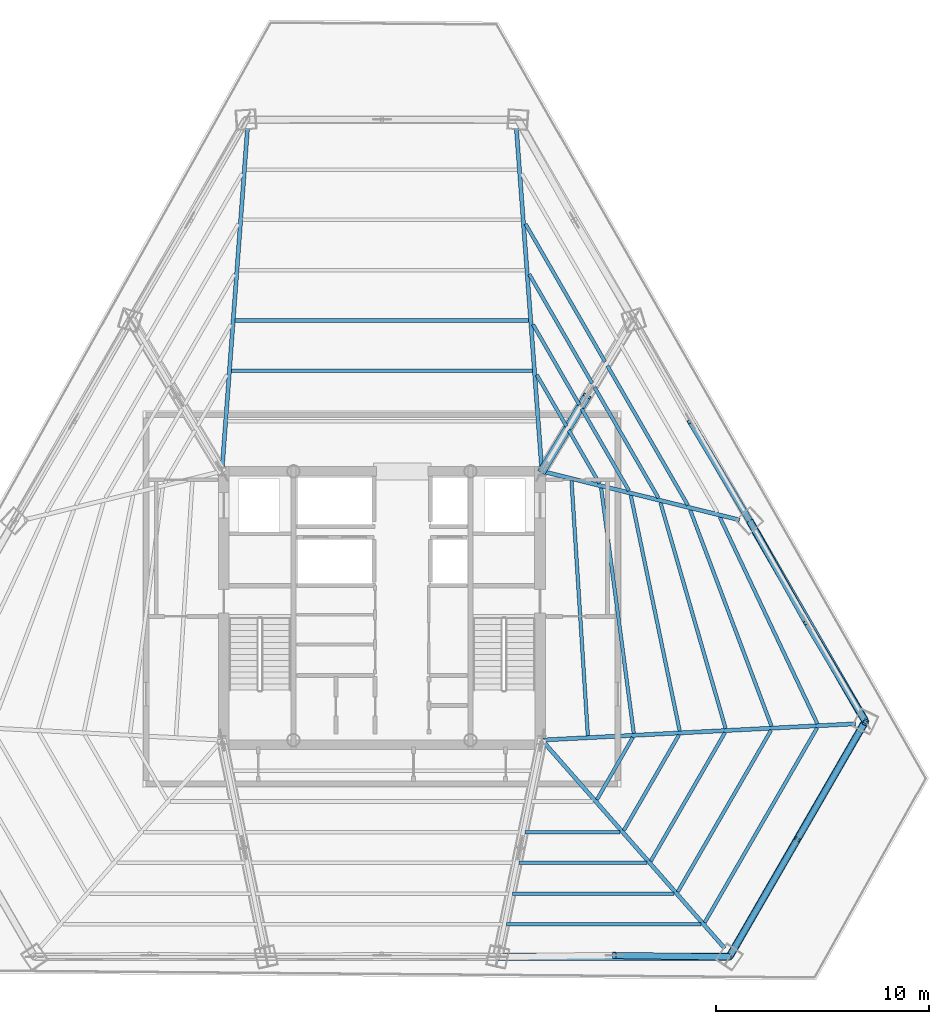
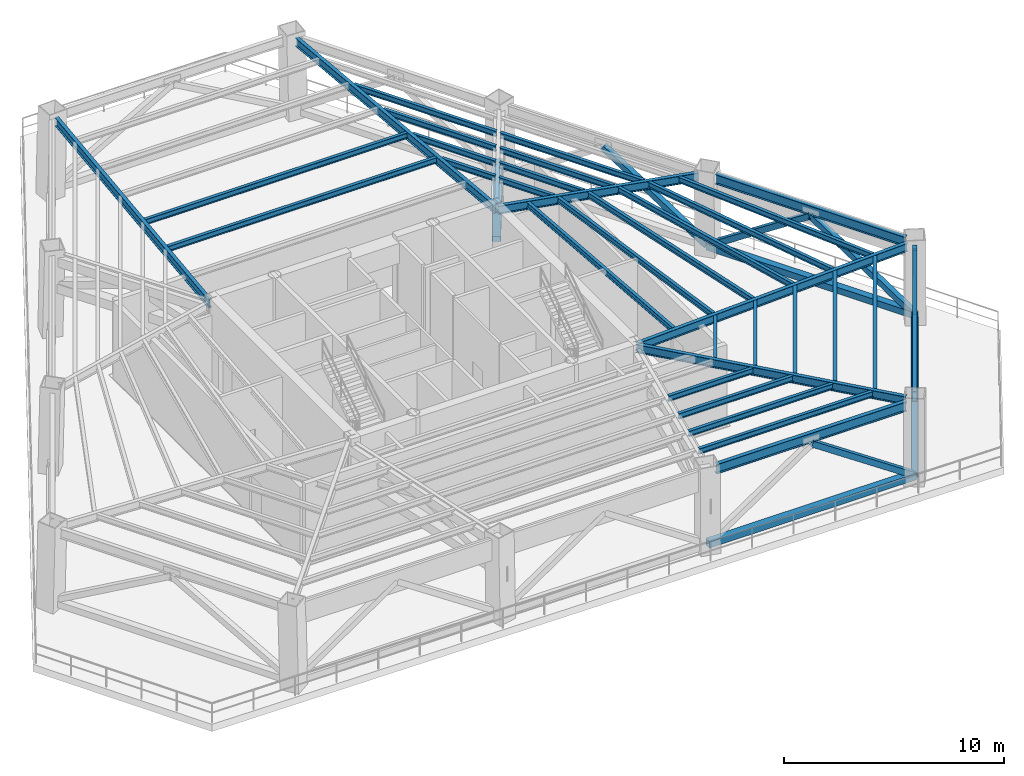
# One storey, part 3 of 12: 33 beams, 11 members.
"""IFC4 building model written with IfcOpenShell, lengths in metres."""

from ifc_helpers import new_model, si_unit, direction, frame, origin, origin_2d, place, context, subcontext, project, spatial, hollow_rectangle, i_section, extrude, source, transform, mapped, material, material_profile, profile_set, type_object, type_shapes, element, save


model = new_model("IFC4")

# Units and contexts
model_context = context("Model", 3, precision=1e-05, world=origin(), true_north=direction((0.0, 1.0)))
body_context = subcontext(model_context, "Body", "Model", "MODEL_VIEW")
ifc_project = project(units=[si_unit("LENGTHUNIT", "METRE"), si_unit("AREAUNIT", "SQUARE_METRE"), si_unit("VOLUMEUNIT", "CUBIC_METRE"), si_unit("PLANEANGLEUNIT", "RADIAN"), si_unit("MASSUNIT", "GRAM", prefix="KILO")], contexts=[model_context])

# Site, building, storey
site_placement = place(None, origin())
site = spatial("IfcSite", under=ifc_project, at=site_placement, CompositionType="ELEMENT")
building_placement = place(site_placement, origin())
building = spatial("IfcBuilding", under=site, at=building_placement, Name="Caelisora Broadcast Tower", CompositionType="ELEMENT")
storey_placement = place(building_placement, frame((0.0, 0.0, 150.050048828125)))
storey = spatial("IfcBuildingStorey", under=building, at=storey_placement, Name="L39", CompositionType="ELEMENT", Elevation=150.050048828125)

# Member
ifc_material_1 = material(Name="Steel Grade 350 (AS/NZS 1163 C350L0)", Category="steel")
ifc_material_profile_1 = material_profile(ifc_material_1, hollow_rectangle(XDim=0.199951171875, YDim=0.199951171875, WallThickness=0.009033203125, at=origin_2d()), Name="Steel Grade 350 (AS/NZS 1163 C350L0)")
ifc_profile_set_1 = profile_set([ifc_material_profile_1], Name="Steel Grade 350 (AS/NZS 1163 C350L0)")
member_type_1 = type_object("IfcMemberType", Name="TR14", PredefinedType="POST", material=ifc_profile_set_1)
shared_shape_1 = source(origin(), body_context, "Body", "SweptSolid", [
    extrude(hollow_rectangle(XDim=0.199951171875, YDim=0.199951171875, WallThickness=0.009033203125, at=origin_2d()), origin(), (0.0, 0.0, 1.0), 3.62109375),
])
type_shapes(member_type_1, [shared_shape_1])
member_1_placement = place(storey_placement, frame((60.664306640625, 18.279541015625, 0.349853515625), z_axis=(-0.010382779351, -0.021574606443, 0.999713326034), x_axis=(0.90108318281, -0.433646281728, 0.0)))
element("IfcMember", 1, at=member_1_placement, inside=storey, type_object=member_type_1, Name="L39 transfer post TR14", PredefinedType="POST", context=body_context, shape_type="MappedRepresentation", body=[
    mapped(shared_shape_1, transform((0.0, 0.0, 0.0), scale=1.0)),
])

# Beams
ifc_material_2 = material(Name="Steel Grade 350 (AS/NZS 3679.1)", Category="steel")
ifc_material_profile_2 = material_profile(ifc_material_2, i_section(OverallWidth=0.208984375, OverallDepth=0.532958984375, WebThickness=0.01025390625, FlangeThickness=0.015625, at=origin_2d()), Name="Steel Grade 350 (AS/NZS 3679.1)")
ifc_profile_set_2 = profile_set([ifc_material_profile_2], Name="Steel Grade 350 (AS/NZS 3679.1)")
beam_type_1 = type_object("IfcBeamType", Name="PG05", PredefinedType="BEAM", material=ifc_profile_set_2)
shared_shape_2 = source(origin(), body_context, "Body", "SweptSolid", [
    extrude(i_section(OverallWidth=0.208984375, OverallDepth=0.532958984375, WebThickness=0.01025390625, FlangeThickness=0.015625, at=origin_2d()), origin(), (0.0, 0.0, 1.0), 11.62353515625),
])
beam_1_placement = place(storey_placement, frame((54.576171875, 7.718994140625, 4.283447265625), z_axis=(0.500004269896, 0.866022938545, 0.0), x_axis=(-0.866022938545, 0.500004269896, 0.0)))
element("IfcBeam", 2, at=beam_1_placement, inside=storey, type_object=beam_type_1, Name="L39 beam PG05", PredefinedType="BEAM", context=body_context, shape_type="MappedRepresentation", body=[
    mapped(shared_shape_2, transform((0.0, 0.0, 0.0), scale=1.0)),
])
shared_shape_3 = source(origin(), body_context, "Body", "SweptSolid", [
    extrude(i_section(OverallWidth=0.208984375, OverallDepth=0.532958984375, WebThickness=0.01025390625, FlangeThickness=0.015625, at=origin_2d()), origin(), (0.0, 0.0, 1.0), 9.9775390625),
])
beam_2_placement = place(storey_placement, frame((43.90869140625, 7.320556640625, 4.283447265625), z_axis=(1.0, 0.0, 0.0), x_axis=(0.0, 1.0, 0.0)))
element("IfcBeam", 3, at=beam_2_placement, inside=storey, type_object=beam_type_1, Name="L39 beam PG05", PredefinedType="BEAM", context=body_context, shape_type="MappedRepresentation", body=[
    mapped(shared_shape_3, transform((0.0, 0.0, 0.0), scale=1.0)),
])
shared_shape_4 = source(origin(), body_context, "Body", "SweptSolid", [
    extrude(i_section(OverallWidth=0.208984375, OverallDepth=0.532958984375, WebThickness=0.01025390625, FlangeThickness=0.015625, at=origin_2d()), origin(), (0.0, 0.0, 1.0), 9.977294921875),
])
type_shapes(beam_type_1, [shared_shape_2, shared_shape_3, shared_shape_4])
beam_3_placement = place(storey_placement, frame((60.387939453125, 18.58203125, 4.283447265625), z_axis=(-0.500007694496, 0.86602096132, 0.0), x_axis=(-0.86602096132, -0.500007694496, 0.0)))
element("IfcBeam", 4, at=beam_3_placement, inside=storey, type_object=beam_type_1, Name="L39 beam PG05", PredefinedType="BEAM", context=body_context, shape_type="MappedRepresentation", body=[
    mapped(shared_shape_4, transform((0.0, 0.0, 0.0), scale=1.0)),
])
ifc_material_profile_3 = material_profile(ifc_material_2, i_section(OverallWidth=0.19091796875, OverallDepth=0.46044921875, WebThickness=0.010009765625, FlangeThickness=0.01611328125, at=origin_2d()), Name="Steel Grade 350 (AS/NZS 3679.1)")
ifc_profile_set_3 = profile_set([ifc_material_profile_3], Name="Steel Grade 350 (AS/NZS 3679.1)")
beam_type_2 = type_object("IfcBeamType", Name="PG06", PredefinedType="BEAM", material=ifc_profile_set_3)
shared_shape_5 = source(origin(), body_context, "Body", "SweptSolid", [
    extrude(i_section(OverallWidth=0.19091796875, OverallDepth=0.46044921875, WebThickness=0.010009765625, FlangeThickness=0.01611328125, at=origin_2d()), origin(), (0.0, 0.0, 1.0), 16.061767578125),
])
for number, where, z_axis, x_axis, name in (
    (5, (45.49560546875, 30.059814453125, 4.31982421875), (-0.074252970776, 0.997239437814, 0.0), (-0.997239437814, -0.074252970776, 0.0), "L39 beam PG06"),
    (6, (30.50439453125, 30.059814453125, 4.31982421875), (0.074252970776, 0.997239437814, 0.0), (-0.997239437814, 0.074252970776, 0.0), "L39 beam PG06"),
):
    element("IfcBeam", number, at=place(storey_placement, frame(where, z_axis=z_axis, x_axis=x_axis)), inside=storey, type_object=beam_type_2, Name=name, PredefinedType="BEAM", context=body_context, shape_type="MappedRepresentation", body=[
        mapped(shared_shape_5, transform((0.0, 0.0, 0.0), scale=1.0)),
    ])
shared_shape_6 = source(origin(), body_context, "Body", "SweptSolid", [
    extrude(i_section(OverallWidth=0.19091796875, OverallDepth=0.46044921875, WebThickness=0.010009765625, FlangeThickness=0.01611328125, at=origin_2d()), origin(), (0.0, 0.0, 1.0), 9.4775390625),
])
beam_4_placement = place(storey_placement, frame((45.558349609375, 29.985595703125, 4.31982421875), z_axis=(0.971038880429, -0.238921519949, 0.0), x_axis=(0.238921519949, 0.971038880429, 0.0)))
element("IfcBeam", 7, at=beam_4_placement, inside=storey, type_object=beam_type_2, Name="L39 beam PG06", PredefinedType="BEAM", context=body_context, shape_type="MappedRepresentation", body=[
    mapped(shared_shape_6, transform((0.0, 0.0, 0.0), scale=1.0)),
])
shared_shape_7 = source(origin(), body_context, "Body", "SweptSolid", [
    extrude(i_section(OverallWidth=0.19091796875, OverallDepth=0.46044921875, WebThickness=0.010009765625, FlangeThickness=0.01611328125, at=origin_2d()), origin(), (0.0, 0.0, 1.0), 14.658203125),
])
beam_5_placement = place(storey_placement, frame((45.559814453125, 17.403076171875, 4.31982421875), z_axis=(0.998659290464, 0.051765061287, 0.0), x_axis=(-0.051765061287, 0.998659290464, 0.0)))
element("IfcBeam", 8, at=beam_5_placement, inside=storey, type_object=beam_type_2, Name="L39 beam PG06", PredefinedType="BEAM", context=body_context, shape_type="MappedRepresentation", body=[
    mapped(shared_shape_7, transform((0.0, 0.0, 0.0), scale=1.0)),
])
shared_shape_8 = source(origin(), body_context, "Body", "SweptSolid", [
    extrude(i_section(OverallWidth=0.19091796875, OverallDepth=0.46044921875, WebThickness=0.010009765625, FlangeThickness=0.01611328125, at=origin_2d()), origin(), (0.0, 0.0, 1.0), 12.930908203125),
])
type_shapes(beam_type_2, [shared_shape_5, shared_shape_6, shared_shape_7, shared_shape_8])
beam_6_placement = place(storey_placement, frame((45.53955078125, 17.35498046875, 4.31982421875), z_axis=(0.659626677642, -0.751593404802, 0.0), x_axis=(0.751593404802, 0.659626677642, 0.0)))
element("IfcBeam", 9, at=beam_6_placement, inside=storey, type_object=beam_type_2, Name="L39 beam PG06", PredefinedType="BEAM", context=body_context, shape_type="MappedRepresentation", body=[
    mapped(shared_shape_8, transform((0.0, 0.0, 0.0), scale=1.0)),
])
ifc_material_profile_4 = material_profile(ifc_material_2, i_section(OverallWidth=0.166015625, OverallDepth=0.30712890625, WebThickness=0.006591796875, FlangeThickness=0.01171875, at=origin_2d()), Name="Steel Grade 350 (AS/NZS 3679.1)")
ifc_profile_set_4 = profile_set([ifc_material_profile_4], Name="Steel Grade 350 (AS/NZS 3679.1)")
beam_type_3 = type_object("IfcBeamType", Name="SB03", PredefinedType="JOIST", material=ifc_profile_set_4)
shared_shape_9 = source(origin(), body_context, "Body", "SweptSolid", [
    extrude(i_section(OverallWidth=0.166015625, OverallDepth=0.30712890625, WebThickness=0.006591796875, FlangeThickness=0.01171875, at=origin_2d()), origin(), (0.0, 0.0, 1.0), 14.11279296875),
])
beam_7_placement = place(storey_placement, frame((45.056396484375, 34.713134765625, 4.396240234375), z_axis=(-1.0, 0.0, 0.0), x_axis=(0.0, -1.0, 0.0)))
element("IfcBeam", 10, at=beam_7_placement, inside=storey, type_object=beam_type_3, Name="L39 beam SB03", PredefinedType="JOIST", context=body_context, shape_type="MappedRepresentation", body=[
    mapped(shared_shape_9, transform((0.0, 0.0, 0.0), scale=1.0)),
])
shared_shape_10 = source(origin(), body_context, "Body", "SweptSolid", [
    extrude(i_section(OverallWidth=0.166015625, OverallDepth=0.30712890625, WebThickness=0.006591796875, FlangeThickness=0.01171875, at=origin_2d()), origin(), (0.0, 0.0, 1.0), 13.76171875),
])
beam_8_placement = place(storey_placement, frame((44.880859375, 37.069580078125, 4.396240234375), z_axis=(-1.0, 0.0, 0.0), x_axis=(0.0, -1.0, 0.0)))
element("IfcBeam", 11, at=beam_8_placement, inside=storey, type_object=beam_type_3, Name="L39 beam SB03", PredefinedType="JOIST", context=body_context, shape_type="MappedRepresentation", body=[
    mapped(shared_shape_10, transform((0.0, 0.0, 0.0), scale=1.0)),
])
shared_shape_11 = source(origin(), body_context, "Body", "SweptSolid", [
    extrude(i_section(OverallWidth=0.166015625, OverallDepth=0.30712890625, WebThickness=0.006591796875, FlangeThickness=0.01171875, at=origin_2d()), origin(), (0.0, 0.0, 1.0), 2.790283203125),
])
beam_9_placement = place(storey_placement, frame((46.652587890625, 32.10888671875, 4.396240234375), z_axis=(-0.499959774894, 0.866048626514, 0.0), x_axis=(-0.866048626514, -0.499959774894, 0.0)))
element("IfcBeam", 12, at=beam_9_placement, inside=storey, type_object=beam_type_3, Name="L39 beam SB03", PredefinedType="JOIST", context=body_context, shape_type="MappedRepresentation", body=[
    mapped(shared_shape_11, transform((0.0, 0.0, 0.0), scale=1.0)),
])
shared_shape_12 = source(origin(), body_context, "Body", "SweptSolid", [
    extrude(i_section(OverallWidth=0.166015625, OverallDepth=0.30712890625, WebThickness=0.006591796875, FlangeThickness=0.01171875, at=origin_2d()), origin(), (0.0, 0.0, 1.0), 4.34716796875),
])
beam_10_placement = place(storey_placement, frame((47.255615234375, 33.1171875, 4.396240234375), z_axis=(-0.500010903086, 0.866019108793, 0.0), x_axis=(-0.866019108793, -0.500010903086, 0.0)))
element("IfcBeam", 13, at=beam_10_placement, inside=storey, type_object=beam_type_3, Name="L39 beam SB03", PredefinedType="JOIST", context=body_context, shape_type="MappedRepresentation", body=[
    mapped(shared_shape_12, transform((0.0, 0.0, 0.0), scale=1.0)),
])
shared_shape_13 = source(origin(), body_context, "Body", "SweptSolid", [
    extrude(i_section(OverallWidth=0.166015625, OverallDepth=0.30712890625, WebThickness=0.006591796875, FlangeThickness=0.01171875, at=origin_2d()), origin(), (0.0, 0.0, 1.0), 5.90380859375),
])
beam_11_placement = place(storey_placement, frame((47.858642578125, 34.12548828125, 4.396240234375), z_axis=(-0.50003506643, 0.866005157225, 0.0), x_axis=(-0.866005157225, -0.50003506643, 0.0)))
element("IfcBeam", 14, at=beam_11_placement, inside=storey, type_object=beam_type_3, Name="L39 beam SB03", PredefinedType="JOIST", context=body_context, shape_type="MappedRepresentation", body=[
    mapped(shared_shape_13, transform((0.0, 0.0, 0.0), scale=1.0)),
])
shared_shape_14 = source(origin(), body_context, "Body", "SweptSolid", [
    extrude(i_section(OverallWidth=0.166015625, OverallDepth=0.30712890625, WebThickness=0.006591796875, FlangeThickness=0.01171875, at=origin_2d()), origin(), (0.0, 0.0, 1.0), 7.460693359375),
])
beam_12_placement = place(storey_placement, frame((48.46142578125, 35.1337890625, 4.396240234375), z_axis=(-0.499985890914, 0.866033549516, 0.0), x_axis=(-0.866033549516, -0.499985890914, 0.0)))
element("IfcBeam", 15, at=beam_12_placement, inside=storey, type_object=beam_type_3, Name="L39 beam SB03", PredefinedType="JOIST", context=body_context, shape_type="MappedRepresentation", body=[
    mapped(shared_shape_14, transform((0.0, 0.0, 0.0), scale=1.0)),
])
shared_shape_15 = source(origin(), body_context, "Body", "SweptSolid", [
    extrude(i_section(OverallWidth=0.166015625, OverallDepth=0.30712890625, WebThickness=0.006591796875, FlangeThickness=0.01171875, at=origin_2d()), origin(), (0.0, 0.0, 1.0), 2.8779296875),
])
beam_13_placement = place(storey_placement, frame((48.197998046875, 29.432373046875, 4.396240234375), z_axis=(-0.499989254212, 0.866031607779, 0.0), x_axis=(-0.866031607779, -0.499989254212, 0.0)))
element("IfcBeam", 16, at=beam_13_placement, inside=storey, type_object=beam_type_3, Name="L39 beam SB03", PredefinedType="JOIST", context=body_context, shape_type="MappedRepresentation", body=[
    mapped(shared_shape_15, transform((0.0, 0.0, 0.0), scale=1.0)),
])
shared_shape_16 = source(origin(), body_context, "Body", "SweptSolid", [
    extrude(i_section(OverallWidth=0.166015625, OverallDepth=0.30712890625, WebThickness=0.006591796875, FlangeThickness=0.01171875, at=origin_2d()), origin(), (0.0, 0.0, 1.0), 4.4345703125),
])
beam_14_placement = place(storey_placement, frame((49.5791015625, 29.092529296875, 4.396240234375), z_axis=(-0.499987733489, 0.866032485742, 0.0), x_axis=(-0.866032485742, -0.499987733489, 0.0)))
element("IfcBeam", 17, at=beam_14_placement, inside=storey, type_object=beam_type_3, Name="L39 beam SB03", PredefinedType="JOIST", context=body_context, shape_type="MappedRepresentation", body=[
    mapped(shared_shape_16, transform((0.0, 0.0, 0.0), scale=1.0)),
])
shared_shape_17 = source(origin(), body_context, "Body", "SweptSolid", [
    extrude(i_section(OverallWidth=0.166015625, OverallDepth=0.30712890625, WebThickness=0.006591796875, FlangeThickness=0.01171875, at=origin_2d()), origin(), (0.0, 0.0, 1.0), 5.991455078125),
])
beam_15_placement = place(storey_placement, frame((50.960693359375, 28.752685546875, 4.396240234375), z_axis=(-0.500017564147, 0.866015262882, 0.0), x_axis=(-0.866015262882, -0.500017564147, 0.0)))
element("IfcBeam", 18, at=beam_15_placement, inside=storey, type_object=beam_type_3, Name="L39 beam SB03", PredefinedType="JOIST", context=body_context, shape_type="MappedRepresentation", body=[
    mapped(shared_shape_17, transform((0.0, 0.0, 0.0), scale=1.0)),
])
shared_shape_18 = source(origin(), body_context, "Body", "SweptSolid", [
    extrude(i_section(OverallWidth=0.166015625, OverallDepth=0.30712890625, WebThickness=0.006591796875, FlangeThickness=0.01171875, at=origin_2d()), origin(), (0.0, 0.0, 1.0), 7.548095703125),
])
beam_16_placement = place(storey_placement, frame((52.341796875, 28.412841796875, 4.396240234375), z_axis=(-0.499986573817, 0.866033155256, 0.0), x_axis=(-0.866033155256, -0.499986573817, 0.0)))
element("IfcBeam", 19, at=beam_16_placement, inside=storey, type_object=beam_type_3, Name="L39 beam SB03", PredefinedType="JOIST", context=body_context, shape_type="MappedRepresentation", body=[
    mapped(shared_shape_18, transform((0.0, 0.0, 0.0), scale=1.0)),
])
shared_shape_19 = source(origin(), body_context, "Body", "SweptSolid", [
    extrude(i_section(OverallWidth=0.166015625, OverallDepth=0.30712890625, WebThickness=0.006591796875, FlangeThickness=0.01171875, at=origin_2d()), origin(), (0.0, 0.0, 1.0), 11.9833984375),
])
beam_17_placement = place(storey_placement, frame((47.65380859375, 17.604248046875, 4.396240234375), z_axis=(-0.063950975762, 0.99795304133, 0.0), x_axis=(-0.99795304133, -0.063950975762, 0.0)))
element("IfcBeam", 20, at=beam_17_placement, inside=storey, type_object=beam_type_3, Name="L39 beam SB03", PredefinedType="JOIST", context=body_context, shape_type="MappedRepresentation", body=[
    mapped(shared_shape_19, transform((0.0, 0.0, 0.0), scale=1.0)),
])
shared_shape_20 = source(origin(), body_context, "Body", "SweptSolid", [
    extrude(i_section(OverallWidth=0.166015625, OverallDepth=0.30712890625, WebThickness=0.006591796875, FlangeThickness=0.01171875, at=origin_2d()), origin(), (0.0, 0.0, 1.0), 11.607421875),
])
beam_18_placement = place(storey_placement, frame((49.80712890625, 17.7158203125, 4.396240234375), z_axis=(-0.131921235477, 0.991260201779, 0.0), x_axis=(-0.991260201779, -0.131921235477, 0.0)))
element("IfcBeam", 21, at=beam_18_placement, inside=storey, type_object=beam_type_3, Name="L39 beam SB03", PredefinedType="JOIST", context=body_context, shape_type="MappedRepresentation", body=[
    mapped(shared_shape_20, transform((0.0, 0.0, 0.0), scale=1.0)),
])
shared_shape_21 = source(origin(), body_context, "Body", "SweptSolid", [
    extrude(i_section(OverallWidth=0.166015625, OverallDepth=0.30712890625, WebThickness=0.006591796875, FlangeThickness=0.01171875, at=origin_2d()), origin(), (0.0, 0.0, 1.0), 11.2880859375),
])
beam_19_placement = place(storey_placement, frame((51.960205078125, 17.827392578125, 4.396240234375), z_axis=(-0.203347906937, 0.979106546166, 0.0), x_axis=(-0.979106546166, -0.203347906937, 0.0)))
element("IfcBeam", 22, at=beam_19_placement, inside=storey, type_object=beam_type_3, Name="L39 beam SB03", PredefinedType="JOIST", context=body_context, shape_type="MappedRepresentation", body=[
    mapped(shared_shape_21, transform((0.0, 0.0, 0.0), scale=1.0)),
])
shared_shape_22 = source(origin(), body_context, "Body", "SweptSolid", [
    extrude(i_section(OverallWidth=0.166015625, OverallDepth=0.30712890625, WebThickness=0.006591796875, FlangeThickness=0.01171875, at=origin_2d()), origin(), (0.0, 0.0, 1.0), 11.030517578125),
])
beam_20_placement = place(storey_placement, frame((54.112548828125, 17.939208984375, 4.396240234375), z_axis=(-0.277193264963, 0.960814182794, 0.0), x_axis=(-0.960814182794, -0.277193264963, 0.0)))
element("IfcBeam", 23, at=beam_20_placement, inside=storey, type_object=beam_type_3, Name="L39 beam SB03", PredefinedType="JOIST", context=body_context, shape_type="MappedRepresentation", body=[
    mapped(shared_shape_22, transform((0.0, 0.0, 0.0), scale=1.0)),
])
shared_shape_23 = source(origin(), body_context, "Body", "SweptSolid", [
    extrude(i_section(OverallWidth=0.166015625, OverallDepth=0.30712890625, WebThickness=0.006591796875, FlangeThickness=0.01171875, at=origin_2d()), origin(), (0.0, 0.0, 1.0), 10.839111328125),
])
beam_21_placement = place(storey_placement, frame((56.264404296875, 18.05078125, 4.396240234375), z_axis=(-0.352256183351, 0.935903617522, 0.0), x_axis=(-0.935903617522, -0.352256183351, 0.0)))
element("IfcBeam", 24, at=beam_21_placement, inside=storey, type_object=beam_type_3, Name="L39 beam SB03", PredefinedType="JOIST", context=body_context, shape_type="MappedRepresentation", body=[
    mapped(shared_shape_23, transform((0.0, 0.0, 0.0), scale=1.0)),
])
shared_shape_24 = source(origin(), body_context, "Body", "SweptSolid", [
    extrude(i_section(OverallWidth=0.166015625, OverallDepth=0.30712890625, WebThickness=0.006591796875, FlangeThickness=0.01171875, at=origin_2d()), origin(), (0.0, 0.0, 1.0), 10.71630859375),
])
beam_22_placement = place(storey_placement, frame((58.41552734375, 18.162353515625, 4.396240234375), z_axis=(-0.427052875454, 0.904226653869, 0.0), x_axis=(-0.904226653869, -0.427052875454, 0.0)))
element("IfcBeam", 25, at=beam_22_placement, inside=storey, type_object=beam_type_3, Name="L39 beam SB03", PredefinedType="JOIST", context=body_context, shape_type="MappedRepresentation", body=[
    mapped(shared_shape_24, transform((0.0, 0.0, 0.0), scale=1.0)),
])
shared_shape_25 = source(origin(), body_context, "Body", "SweptSolid", [
    extrude(i_section(OverallWidth=0.166015625, OverallDepth=0.30712890625, WebThickness=0.006591796875, FlangeThickness=0.01171875, at=origin_2d()), origin(), (0.0, 0.0, 1.0), 3.375244140625),
])
beam_23_placement = place(storey_placement, frame((48.076416015625, 14.604736328125, 4.396240234375), z_axis=(0.499966648284, 0.866044658551, 0.0), x_axis=(-0.866044658551, 0.499966648284, 0.0)))
element("IfcBeam", 26, at=beam_23_placement, inside=storey, type_object=beam_type_3, Name="L39 beam SB03", PredefinedType="JOIST", context=body_context, shape_type="MappedRepresentation", body=[
    mapped(shared_shape_25, transform((0.0, 0.0, 0.0), scale=1.0)),
])
shared_shape_26 = source(origin(), body_context, "Body", "SweptSolid", [
    extrude(i_section(OverallWidth=0.166015625, OverallDepth=0.30712890625, WebThickness=0.006591796875, FlangeThickness=0.01171875, at=origin_2d()), origin(), (0.0, 0.0, 1.0), 5.167236328125),
])
beam_24_placement = place(storey_placement, frame((49.340087890625, 13.164794921875, 4.396240234375), z_axis=(0.4999705729, 0.866042392862, 0.0), x_axis=(-0.866042392862, 0.4999705729, 0.0)))
element("IfcBeam", 27, at=beam_24_placement, inside=storey, type_object=beam_type_3, Name="L39 beam SB03", PredefinedType="JOIST", context=body_context, shape_type="MappedRepresentation", body=[
    mapped(shared_shape_26, transform((0.0, 0.0, 0.0), scale=1.0)),
])
shared_shape_27 = source(origin(), body_context, "Body", "SweptSolid", [
    extrude(i_section(OverallWidth=0.166015625, OverallDepth=0.30712890625, WebThickness=0.006591796875, FlangeThickness=0.01171875, at=origin_2d()), origin(), (0.0, 0.0, 1.0), 6.958984375),
])
beam_25_placement = place(storey_placement, frame((50.60400390625, 11.72509765625, 4.396240234375), z_axis=(0.50000285764, 0.866023753919, 0.0), x_axis=(-0.866023753919, 0.50000285764, 0.0)))
element("IfcBeam", 28, at=beam_25_placement, inside=storey, type_object=beam_type_3, Name="L39 beam SB03", PredefinedType="JOIST", context=body_context, shape_type="MappedRepresentation", body=[
    mapped(shared_shape_27, transform((0.0, 0.0, 0.0), scale=1.0)),
])
shared_shape_28 = source(origin(), body_context, "Body", "SweptSolid", [
    extrude(i_section(OverallWidth=0.166015625, OverallDepth=0.30712890625, WebThickness=0.006591796875, FlangeThickness=0.01171875, at=origin_2d()), origin(), (0.0, 0.0, 1.0), 8.7509765625),
])
beam_26_placement = place(storey_placement, frame((51.86767578125, 10.28515625, 4.396240234375), z_axis=(0.499997759964, 0.866026697066, 0.0), x_axis=(-0.866026697066, 0.499997759964, 0.0)))
element("IfcBeam", 29, at=beam_26_placement, inside=storey, type_object=beam_type_3, Name="L39 beam SB03", PredefinedType="JOIST", context=body_context, shape_type="MappedRepresentation", body=[
    mapped(shared_shape_28, transform((0.0, 0.0, 0.0), scale=1.0)),
])
shared_shape_29 = source(origin(), body_context, "Body", "SweptSolid", [
    extrude(i_section(OverallWidth=0.166015625, OverallDepth=0.30712890625, WebThickness=0.006591796875, FlangeThickness=0.01171875, at=origin_2d()), origin(), (0.0, 0.0, 1.0), 10.54296875),
])
beam_27_placement = place(storey_placement, frame((53.13134765625, 8.84521484375, 4.396240234375), z_axis=(0.50000442238, 0.866022850507, 0.0), x_axis=(-0.866022850507, 0.50000442238, 0.0)))
element("IfcBeam", 30, at=beam_27_placement, inside=storey, type_object=beam_type_3, Name="L39 beam SB03", PredefinedType="JOIST", context=body_context, shape_type="MappedRepresentation", body=[
    mapped(shared_shape_29, transform((0.0, 0.0, 0.0), scale=1.0)),
])
shared_shape_30 = source(origin(), body_context, "Body", "SweptSolid", [
    extrude(i_section(OverallWidth=0.166015625, OverallDepth=0.30712890625, WebThickness=0.006591796875, FlangeThickness=0.01171875, at=origin_2d()), origin(), (0.0, 0.0, 1.0), 4.45166015625),
])
beam_28_placement = place(storey_placement, frame((44.71533203125, 13.080078125, 4.396240234375), z_axis=(1.0, 0.0, 0.0), x_axis=(0.0, 1.0, 0.0)))
element("IfcBeam", 31, at=beam_28_placement, inside=storey, type_object=beam_type_3, Name="L39 beam SB03", PredefinedType="JOIST", context=body_context, shape_type="MappedRepresentation", body=[
    mapped(shared_shape_30, transform((0.0, 0.0, 0.0), scale=1.0)),
])
shared_shape_31 = source(origin(), body_context, "Body", "SweptSolid", [
    extrude(i_section(OverallWidth=0.166015625, OverallDepth=0.30712890625, WebThickness=0.006591796875, FlangeThickness=0.01171875, at=origin_2d()), origin(), (0.0, 0.0, 1.0), 6.008544921875),
])
beam_29_placement = place(storey_placement, frame((44.42236328125, 11.640380859375, 4.396240234375), z_axis=(1.0, 0.0, 0.0), x_axis=(0.0, 1.0, 0.0)))
element("IfcBeam", 32, at=beam_29_placement, inside=storey, type_object=beam_type_3, Name="L39 beam SB03", PredefinedType="JOIST", context=body_context, shape_type="MappedRepresentation", body=[
    mapped(shared_shape_31, transform((0.0, 0.0, 0.0), scale=1.0)),
])
shared_shape_32 = source(origin(), body_context, "Body", "SweptSolid", [
    extrude(i_section(OverallWidth=0.166015625, OverallDepth=0.30712890625, WebThickness=0.006591796875, FlangeThickness=0.01171875, at=origin_2d()), origin(), (0.0, 0.0, 1.0), 7.565185546875),
])
beam_30_placement = place(storey_placement, frame((44.12939453125, 10.200439453125, 4.396240234375), z_axis=(1.0, 0.0, 0.0), x_axis=(0.0, 1.0, 0.0)))
element("IfcBeam", 33, at=beam_30_placement, inside=storey, type_object=beam_type_3, Name="L39 beam SB03", PredefinedType="JOIST", context=body_context, shape_type="MappedRepresentation", body=[
    mapped(shared_shape_32, transform((0.0, 0.0, 0.0), scale=1.0)),
])
shared_shape_33 = source(origin(), body_context, "Body", "SweptSolid", [
    extrude(i_section(OverallWidth=0.166015625, OverallDepth=0.30712890625, WebThickness=0.006591796875, FlangeThickness=0.01171875, at=origin_2d()), origin(), (0.0, 0.0, 1.0), 9.122314453125),
])
type_shapes(beam_type_3, [shared_shape_9, shared_shape_10, shared_shape_11, shared_shape_12, shared_shape_13, shared_shape_14, shared_shape_15, shared_shape_16, shared_shape_17, shared_shape_18, shared_shape_19, shared_shape_20, shared_shape_21, shared_shape_22, shared_shape_23, shared_shape_24, shared_shape_25, shared_shape_26, shared_shape_27, shared_shape_28, shared_shape_29, shared_shape_30, shared_shape_31, shared_shape_32, shared_shape_33])
beam_31_placement = place(storey_placement, frame((43.836181640625, 8.760498046875, 4.396240234375), z_axis=(1.0, 0.0, 0.0), x_axis=(0.0, 1.0, 0.0)))
element("IfcBeam", 34, at=beam_31_placement, inside=storey, type_object=beam_type_3, Name="L39 beam SB03", PredefinedType="JOIST", context=body_context, shape_type="MappedRepresentation", body=[
    mapped(shared_shape_33, transform((0.0, 0.0, 0.0), scale=1.0)),
])

# Members
ifc_material_profile_5 = material_profile(ifc_material_1, hollow_rectangle(XDim=0.39990234375, YDim=0.39990234375, WallThickness=0.01611328125, at=origin_2d()), Name="Steel Grade 350 (AS/NZS 1163 C350L0)")
ifc_profile_set_5 = profile_set([ifc_material_profile_5], Name="Steel Grade 350 (AS/NZS 1163 C350L0)")
member_type_2 = type_object("IfcMemberType", Name="OR04", PredefinedType="STRUT", material=ifc_profile_set_5)
shared_shape_34 = source(origin(), body_context, "Body", "SweptSolid", [
    extrude(hollow_rectangle(XDim=0.39990234375, YDim=0.39990234375, WallThickness=0.01611328125, at=origin_2d()), origin(), (0.0, 0.0, 1.0), 4.364990234375),
])
type_shapes(member_type_2, [shared_shape_34])
member_2_placement = place(storey_placement, frame((45.5, 30.0, 2.679931640625), z_axis=(0.484934584456, 0.809007362119, 0.332182986976), x_axis=(-0.85771260565, 0.514129444897, 0.0)))
element("IfcMember", 35, at=member_2_placement, inside=storey, type_object=member_type_2, Name="L39 outrigger diagonal OR04", PredefinedType="STRUT", context=body_context, shape_type="MappedRepresentation", body=[
    mapped(shared_shape_34, transform((0.0, 0.0, 0.0), scale=1.0)),
])
ifc_material_profile_6 = material_profile(ifc_material_1, hollow_rectangle(XDim=0.300048828125, YDim=0.300048828125, WallThickness=0.012451171875, at=origin_2d()), Name="Steel Grade 350 (AS/NZS 1163 C350L0)")
ifc_profile_set_6 = profile_set([ifc_material_profile_6], Name="Steel Grade 350 (AS/NZS 1163 C350L0)")
member_type_3 = type_object("IfcMemberType", Name="OR06", PredefinedType="STRUT", material=ifc_profile_set_6)
shared_shape_35 = source(origin(), body_context, "Body", "SweptSolid", [
    extrude(hollow_rectangle(XDim=0.300048828125, YDim=0.300048828125, WallThickness=0.012451171875, at=origin_2d()), origin(), (0.0, 0.0, 1.0), 7.333984375),
])
member_3_placement = place(storey_placement, frame((60.664306640625, 18.279541015625, 0.349853515625), z_axis=(-0.434090618021, -0.753599954813, 0.49361163221), x_axis=(0.866523129729, -0.499136920738, 0.0)))
element("IfcMember", 36, at=member_3_placement, inside=storey, type_object=member_type_3, Name="L39 belt diagonal OR06", PredefinedType="STRUT", context=body_context, shape_type="MappedRepresentation", body=[
    mapped(shared_shape_35, transform((0.0, 0.0, 0.0), scale=1.0)),
])
ifc_material_profile_7 = material_profile(ifc_material_1, hollow_rectangle(XDim=0.35009765625, YDim=0.35009765625, WallThickness=0.01611328125, at=origin_2d()), Name="Steel Grade 350 (AS/NZS 1163 C350L0)")
ifc_profile_set_7 = profile_set([ifc_material_profile_7], Name="Steel Grade 350 (AS/NZS 1163 C350L0)")
member_type_4 = type_object("IfcMemberType", Name="OR05", PredefinedType="CHORD", material=ifc_profile_set_7)
shared_shape_36 = source(origin(), body_context, "Body", "SweptSolid", [
    extrude(hollow_rectangle(XDim=0.35009765625, YDim=0.35009765625, WallThickness=0.01611328125, at=origin_2d()), origin(), (0.0, 0.0, 1.0), 10.857421875),
])
for number, where, z_axis, x_axis, name in (
    (37, (43.4287109375, 7.232421875, 0.349853515625), (1.0, 0.0, 0.0), (0.0, 1.0, 0.0), "L39 belt chord OR05"),
    (38, (60.664306640625, 18.279541015625, 0.349853515625), (-0.499998848701, 0.866026068486, 0.0), (-0.866026068486, -0.499998848701, 0.0), "L39 belt chord OR05"),
):
    element("IfcMember", number, at=place(storey_placement, frame(where, z_axis=z_axis, x_axis=x_axis)), inside=storey, type_object=member_type_4, Name=name, PredefinedType="CHORD", context=body_context, shape_type="MappedRepresentation", body=[
        mapped(shared_shape_36, transform((0.0, 0.0, 0.0), scale=1.0)),
    ])
shared_shape_37 = source(origin(), body_context, "Body", "SweptSolid", [
    extrude(hollow_rectangle(XDim=0.300048828125, YDim=0.300048828125, WallThickness=0.012451171875, at=origin_2d()), origin(), (0.0, 0.0, 1.0), 6.525390625),
])
member_4_placement = place(storey_placement, frame((55.235595703125, 27.682373046875, 0.349853515625), z_axis=(-0.425502626652, 0.714970121807, 0.554765932295), x_axis=(-0.859332409735, -0.511417451382, 0.0)))
element("IfcMember", 39, at=member_4_placement, inside=storey, type_object=member_type_3, Name="L39 belt diagonal OR06", PredefinedType="STRUT", context=body_context, shape_type="MappedRepresentation", body=[
    mapped(shared_shape_37, transform((0.0, 0.0, 0.0), scale=1.0)),
])
shared_shape_38 = source(origin(), body_context, "Body", "SweptSolid", [
    extrude(hollow_rectangle(XDim=0.300048828125, YDim=0.300048828125, WallThickness=0.012451171875, at=origin_2d()), origin(), (0.0, 0.0, 1.0), 6.552490234375),
])
member_5_placement = place(storey_placement, frame((55.235595703125, 27.682373046875, 0.349853515625), z_axis=(0.407244908438, -0.727265632919, 0.552481930679), x_axis=(0.872518211801, 0.488581589988, 0.0)))
element("IfcMember", 40, at=member_5_placement, inside=storey, type_object=member_type_3, Name="L39 belt diagonal OR06", PredefinedType="STRUT", context=body_context, shape_type="MappedRepresentation", body=[
    mapped(shared_shape_38, transform((0.0, 0.0, 0.0), scale=1.0)),
])
shared_shape_39 = source(origin(), body_context, "Body", "SweptSolid", [
    extrude(hollow_rectangle(XDim=0.300048828125, YDim=0.300048828125, WallThickness=0.012451171875, at=origin_2d()), origin(), (0.0, 0.0, 1.0), 6.49853515625),
])
for number, where, z_axis, x_axis, name in (
    (41, (54.2861328125, 7.232421875, 0.349853515625), (-0.830389590766, 0.011007743297, 0.557074462828), (-0.013254954519, -0.999912149231, 0.0), "L39 belt diagonal OR06"),
    (42, (60.664306640625, 18.279541015625, 0.349853515625), (-0.424753969583, 0.713621232287, 0.557071631079), (-0.859303772491, -0.511465567348, 0.0), "L39 belt diagonal OR06"),
):
    element("IfcMember", number, at=place(storey_placement, frame(where, z_axis=z_axis, x_axis=x_axis)), inside=storey, type_object=member_type_3, Name=name, PredefinedType="STRUT", context=body_context, shape_type="MappedRepresentation", body=[
        mapped(shared_shape_39, transform((0.0, 0.0, 0.0), scale=1.0)),
    ])
shared_shape_40 = source(origin(), body_context, "Body", "SweptSolid", [
    extrude(hollow_rectangle(XDim=0.35009765625, YDim=0.35009765625, WallThickness=0.01611328125, at=origin_2d()), origin(), (0.0, 0.0, 1.0), 12.756103515625),
])
type_shapes(member_type_4, [shared_shape_36, shared_shape_40])
member_6_placement = place(storey_placement, frame((54.2861328125, 7.232421875, 0.349853515625), z_axis=(0.500006856577, 0.866021445101, 0.0), x_axis=(-0.866021445101, 0.500006856577, 0.0)))
element("IfcMember", 43, at=member_6_placement, inside=storey, type_object=member_type_4, Name="L39 belt chord OR05", PredefinedType="CHORD", context=body_context, shape_type="MappedRepresentation", body=[
    mapped(shared_shape_40, transform((0.0, 0.0, 0.0), scale=1.0)),
])
shared_shape_41 = source(origin(), body_context, "Body", "SweptSolid", [
    extrude(hollow_rectangle(XDim=0.300048828125, YDim=0.300048828125, WallThickness=0.012451171875, at=origin_2d()), origin(), (0.0, 0.0, 1.0), 7.333740234375),
])
type_shapes(member_type_3, [shared_shape_35, shared_shape_37, shared_shape_38, shared_shape_39, shared_shape_41])
member_7_placement = place(storey_placement, frame((54.2861328125, 7.232421875, 0.349853515625), z_axis=(0.435599756426, 0.752720373905, 0.493624240602), x_axis=(-0.865518870125, 0.500876317526, 0.0)))
element("IfcMember", 44, at=member_7_placement, inside=storey, type_object=member_type_3, Name="L39 belt diagonal OR06", PredefinedType="STRUT", context=body_context, shape_type="MappedRepresentation", body=[
    mapped(shared_shape_41, transform((0.0, 0.0, 0.0), scale=1.0)),
])

save(model, "model.ifc")
